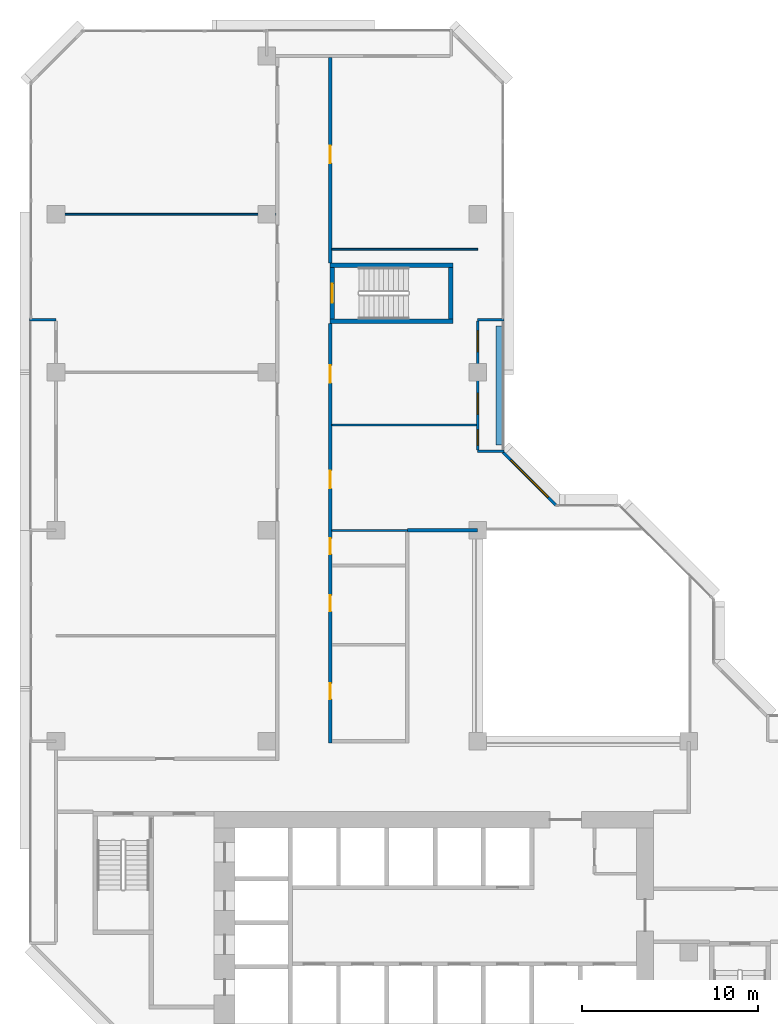
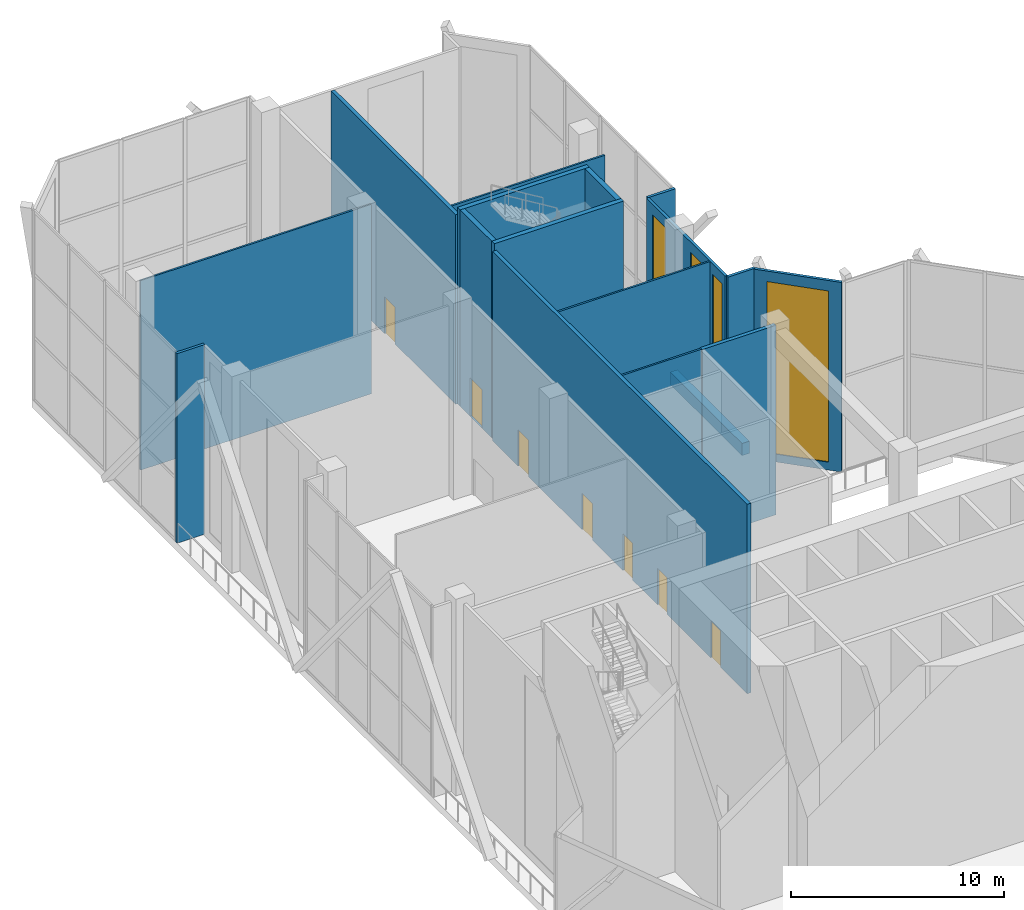
# One storey, part 15 of 21: 17 walls, 7 doors, 4 windows, 11 openings.
"""IFC4 building model written with IfcOpenShell, lengths in metres."""

from ifc_helpers import new_model, si_unit, direction, frame, frame_2d, origin, place, context, subcontext, project, spatial, rectangle, extrude, material, layer, layer_set, type_object, element, fill, save


model = new_model("IFC4")

# Units and contexts
model_context = context("Model", 3, precision=1e-05, world=origin(), true_north=direction((0.0, 1.0)))
body_context = subcontext(model_context, "Body", "Model", "MODEL_VIEW")
ifc_project = project(units=[si_unit("LENGTHUNIT", "METRE"), si_unit("AREAUNIT", "SQUARE_METRE"), si_unit("VOLUMEUNIT", "CUBIC_METRE"), si_unit("PLANEANGLEUNIT", "RADIAN"), si_unit("MASSUNIT", "GRAM", prefix="KILO")], contexts=[model_context])

# Site, building, storey
site_placement = place(None, origin())
site = spatial("IfcSite", under=ifc_project, at=site_placement, CompositionType="ELEMENT")
building_placement = place(site_placement, origin())
building = spatial("IfcBuilding", under=site, at=building_placement, Name="Chenar Terraces", CompositionType="ELEMENT")
storey_placement = place(building_placement, frame((0.0, 0.0, 146.14990234375)))
storey = spatial("IfcBuildingStorey", under=building, at=storey_placement, Name="L34", CompositionType="ELEMENT", Elevation=146.14990234375)

# Walls
ifc_material_1 = material(Name="Concrete C70/85", Category="concrete")
ifc_layer_1 = layer(ifc_material_1, 0.25)
ifc_layer_set_1 = layer_set([ifc_layer_1], Name="Concrete C70/85")
wall_type_1 = type_object("IfcWallType", Name="Core wall 250 Concrete C70/85", PredefinedType="SHEAR", material=ifc_layer_set_1)
for number, where, z_axis, x_axis, name in (
    (1, (15.60009765625, 47.89990234375, 0.0), (0.0, 0.0, 1.0), (1.0, 0.0, 0.0), "Core wall ST4_S L34"),
    (2, (15.60009765625, 51.10009765625, 0.0), (0.0, 0.0, 1.0), (1.0, 0.0, 0.0), "Core wall ST4_N L34"),
):
    element("IfcWall", number, at=place(storey_placement, frame(where, z_axis=z_axis, x_axis=x_axis)), inside=storey, type_object=wall_type_1, Name=name, PredefinedType="SHEAR", context=body_context, shape_type="SweptSolid", body=[
        extrude(rectangle(XDim=7.0, YDim=0.25, at=frame_2d((3.5, 0.0))), origin(), (0.0, 0.0, 1.0), 11.25),
    ])

# Wall, opening, door
wall_1_placement = place(storey_placement, frame((15.72509765625, 48.02490234375, 0.0), z_axis=(0.0, 0.0, 1.0), x_axis=(0.0, 1.0, 0.0)))
wall_1 = element("IfcWall", 3, at=wall_1_placement, inside=storey, type_object=wall_type_1, Name="Core wall ST4_W L34", PredefinedType="SHEAR", context=body_context, shape_type="SweptSolid", body=[
    extrude(rectangle(XDim=2.9501953125, YDim=0.25, at=frame_2d((1.47509765625, 0.0))), origin(), (0.0, 0.0, 1.0), 11.25),
])
opening_1_placement = place(wall_1_placement, frame((0.925048828125, 0.0, 0.0)))
opening_1 = element("IfcOpeningElement", 4, at=opening_1_placement, cuts=wall_1, Name="Opening DL34-C9", PredefinedType="OPENING", context=body_context, shape_type="SweptSolid", body=[
    extrude(rectangle(XDim=1.10009765625, YDim=2.199951171875, at=frame_2d((0.550048828125, 1.10009765625))), frame((0.0, 0.135009765625, 0.0), z_axis=(0.0, -1.0, 0.0), x_axis=(1.0, 0.0, 0.0)), (0.0, 0.0, 1.0), 0.27001953125),
])
ifc_material_2 = material(Name="Steel-framed fire-resisting door leaf", Category="steel")
door_type_1 = type_object("IfcDoorType", Name="Stair fire door FD60 1100 x 2200", OperationType="SINGLE_SWING_LEFT", PredefinedType="DOOR", material=ifc_material_2)
door_1_placement = place(opening_1_placement, frame((1.10009765625, 0.0, 0.0), z_axis=(0.0, 0.0, 1.0), x_axis=(-1.0, 0.0, 0.0)))
door_1 = element("IfcDoor", 5, at=door_1_placement, inside=storey, type_object=door_type_1, Name="Stair door DL34-C9", OperationType="SINGLE_SWING_RIGHT", OverallHeight=2.199951171875, OverallWidth=1.10009765625, PredefinedType="DOOR", context=body_context, shape_type="SweptSolid", body=[
    extrude(rectangle(XDim=1.10009765625, YDim=2.199951171875, at=frame_2d((0.550048828125, 1.10009765625))), frame((0.0, 0.02490234375, 0.0), z_axis=(0.0, -1.0, 0.0), x_axis=(1.0, 0.0, 0.0)), (0.0, 0.0, 1.0), 0.050048828125),
])
fill(opening_1, door_1)

# Wall
wall_2_placement = place(storey_placement, frame((22.47509765625, 48.02490234375, 0.0), z_axis=(0.0, 0.0, 1.0), x_axis=(0.0, 1.0, 0.0)))
element("IfcWall", 6, at=wall_2_placement, inside=storey, type_object=wall_type_1, Name="Core wall ST4_E L34", PredefinedType="SHEAR", context=body_context, shape_type="SweptSolid", body=[
    extrude(rectangle(XDim=2.9501953125, YDim=0.25, at=frame_2d((1.47509765625, 0.0))), origin(), (0.0, 0.0, 1.0), 11.25),
])

# Wall, openings, doors
ifc_material_3 = material(Name="Gypsum board on steel studs with fire boards", Category="steel")
ifc_layer_2 = layer(ifc_material_3, 0.199951171875)
ifc_layer_set_2 = layer_set([ifc_layer_2], Name="Gypsum board on steel studs with fire boards")
wall_type_2 = type_object("IfcWallType", Name="Corridor wall 200", PredefinedType="PARTITIONING", material=ifc_layer_set_2)
wall_3_placement = place(storey_placement, frame((15.60009765625, 23.89990234375, 0.0), z_axis=(0.0, 0.0, 1.0), x_axis=(0.0, 1.0, 0.0)))
wall_3 = element("IfcWall", 7, at=wall_3_placement, inside=storey, type_object=wall_type_2, Name="Partition L34-007", PredefinedType="PARTITIONING", context=body_context, shape_type="SweptSolid", body=[
    extrude(rectangle(XDim=23.875, YDim=0.199951171875, at=frame_2d((11.9375, 0.0))), origin(), (0.0, 0.0, 1.0), 10.85009765625),
])
opening_2_placement = place(wall_3_placement, frame((14.5, 0.0, 0.0)))
opening_2 = element("IfcOpeningElement", 8, at=opening_2_placement, cuts=wall_3, Name="Opening DL34-8", PredefinedType="OPENING", context=body_context, shape_type="SweptSolid", body=[
    extrude(rectangle(XDim=1.0, YDim=2.10009765625, at=frame_2d((0.5, 1.050048828125))), frame((0.0, 0.10986328125, 0.0), z_axis=(0.0, -1.0, 0.0), x_axis=(1.0, 0.0, 0.0)), (0.0, 0.0, 1.0), 0.219970703125),
])
opening_3_placement = place(wall_3_placement, frame((20.5, 0.0, 0.0)))
opening_3 = element("IfcOpeningElement", 9, at=opening_3_placement, cuts=wall_3, Name="Opening DL34-9", PredefinedType="OPENING", context=body_context, shape_type="SweptSolid", body=[
    extrude(rectangle(XDim=1.0, YDim=2.10009765625, at=frame_2d((0.5, 1.050048828125))), frame((0.0, 0.10986328125, 0.0), z_axis=(0.0, -1.0, 0.0), x_axis=(1.0, 0.0, 0.0)), (0.0, 0.0, 1.0), 0.219970703125),
])
opening_4_placement = place(wall_3_placement, frame((10.75, 0.0, 0.0)))
opening_4 = element("IfcOpeningElement", 10, at=opening_4_placement, cuts=wall_3, Name="Opening DL34-20", PredefinedType="OPENING", context=body_context, shape_type="SweptSolid", body=[
    extrude(rectangle(XDim=0.89990234375, YDim=2.10009765625, at=frame_2d((0.449951171875, 1.050048828125))), frame((0.0, 0.10986328125, 0.0), z_axis=(0.0, -1.0, 0.0), x_axis=(1.0, 0.0, 0.0)), (0.0, 0.0, 1.0), 0.219970703125),
])
opening_5_placement = place(wall_3_placement, frame((7.5, 0.0, 0.0)))
opening_5 = element("IfcOpeningElement", 11, at=opening_5_placement, cuts=wall_3, Name="Opening DL34-21", PredefinedType="OPENING", context=body_context, shape_type="SweptSolid", body=[
    extrude(rectangle(XDim=0.89990234375, YDim=2.10009765625, at=frame_2d((0.449951171875, 1.050048828125))), frame((0.0, 0.10986328125, 0.0), z_axis=(0.0, -1.0, 0.0), x_axis=(1.0, 0.0, 0.0)), (0.0, 0.0, 1.0), 0.219970703125),
])
opening_6_placement = place(wall_3_placement, frame((2.5, 0.0, 0.0)))
opening_6 = element("IfcOpeningElement", 12, at=opening_6_placement, cuts=wall_3, Name="Opening DL34-22", PredefinedType="OPENING", context=body_context, shape_type="SweptSolid", body=[
    extrude(rectangle(XDim=0.89990234375, YDim=2.10009765625, at=frame_2d((0.449951171875, 1.050048828125))), frame((0.0, 0.10986328125, 0.0), z_axis=(0.0, -1.0, 0.0), x_axis=(1.0, 0.0, 0.0)), (0.0, 0.0, 1.0), 0.219970703125),
])
ifc_material_4 = material(Name="Steel-framed fire-resisting door leaf", Category="steel")
door_type_2 = type_object("IfcDoorType", Name="Fire door FD60 1000 x 2100", OperationType="SINGLE_SWING_LEFT", PredefinedType="DOOR", material=ifc_material_4)
door_2_placement = place(opening_2_placement, frame((1.0, 0.0, 0.0), z_axis=(0.0, 0.0, 1.0), x_axis=(-1.0, 0.0, 0.0)))
door_2 = element("IfcDoor", 13, at=door_2_placement, inside=storey, type_object=door_type_2, Name="Door DL34-8", OperationType="SINGLE_SWING_RIGHT", OverallHeight=2.10009765625, OverallWidth=1.0, PredefinedType="DOOR", context=body_context, shape_type="SweptSolid", body=[
    extrude(rectangle(XDim=1.0, YDim=2.10009765625, at=frame_2d((0.5, 1.050048828125))), frame((0.0, 0.02490234375, 0.0), z_axis=(0.0, -1.0, 0.0), x_axis=(1.0, 0.0, 0.0)), (0.0, 0.0, 1.0), 0.050048828125),
])
fill(opening_2, door_2)
door_3_placement = place(opening_3_placement, frame((1.0, 0.0, 0.0), z_axis=(0.0, 0.0, 1.0), x_axis=(-1.0, 0.0, 0.0)))
door_3 = element("IfcDoor", 14, at=door_3_placement, inside=storey, type_object=door_type_2, Name="Door DL34-9", OperationType="SINGLE_SWING_RIGHT", OverallHeight=2.10009765625, OverallWidth=1.0, PredefinedType="DOOR", context=body_context, shape_type="SweptSolid", body=[
    extrude(rectangle(XDim=1.0, YDim=2.10009765625, at=frame_2d((0.5, 1.050048828125))), frame((0.0, 0.02490234375, 0.0), z_axis=(0.0, -1.0, 0.0), x_axis=(1.0, 0.0, 0.0)), (0.0, 0.0, 1.0), 0.050048828125),
])
fill(opening_3, door_3)
ifc_material_5 = material(Name="Steel-framed fire-resisting door leaf", Category="steel")
door_type_3 = type_object("IfcDoorType", Name="Fire door FD60 900 x 2100", OperationType="SINGLE_SWING_LEFT", PredefinedType="DOOR", material=ifc_material_5)
door_4_placement = place(opening_4_placement, frame((0.89990234375, 0.0, 0.0), z_axis=(0.0, 0.0, 1.0), x_axis=(-1.0, 0.0, 0.0)))
door_4 = element("IfcDoor", 15, at=door_4_placement, inside=storey, type_object=door_type_3, Name="Door DL34-20", OperationType="SINGLE_SWING_LEFT", OverallHeight=2.10009765625, OverallWidth=0.89990234375, PredefinedType="DOOR", context=body_context, shape_type="SweptSolid", body=[
    extrude(rectangle(XDim=0.89990234375, YDim=2.10009765625, at=frame_2d((0.449951171875, 1.050048828125))), frame((0.0, 0.02490234375, 0.0), z_axis=(0.0, -1.0, 0.0), x_axis=(1.0, 0.0, 0.0)), (0.0, 0.0, 1.0), 0.050048828125),
])
fill(opening_4, door_4)
door_5_placement = place(opening_5_placement, frame((0.89990234375, 0.0, 0.0), z_axis=(0.0, 0.0, 1.0), x_axis=(-1.0, 0.0, 0.0)))
door_5 = element("IfcDoor", 16, at=door_5_placement, inside=storey, type_object=door_type_3, Name="Door DL34-21", OperationType="SINGLE_SWING_RIGHT", OverallHeight=2.10009765625, OverallWidth=0.89990234375, PredefinedType="DOOR", context=body_context, shape_type="SweptSolid", body=[
    extrude(rectangle(XDim=0.89990234375, YDim=2.10009765625, at=frame_2d((0.449951171875, 1.050048828125))), frame((0.0, 0.02490234375, 0.0), z_axis=(0.0, -1.0, 0.0), x_axis=(1.0, 0.0, 0.0)), (0.0, 0.0, 1.0), 0.050048828125),
])
fill(opening_5, door_5)
door_6_placement = place(opening_6_placement, frame((0.89990234375, 0.0, 0.0), z_axis=(0.0, 0.0, 1.0), x_axis=(-1.0, 0.0, 0.0)))
door_6 = element("IfcDoor", 17, at=door_6_placement, inside=storey, type_object=door_type_3, Name="Door DL34-22", OperationType="SINGLE_SWING_RIGHT", OverallHeight=2.10009765625, OverallWidth=0.89990234375, PredefinedType="DOOR", context=body_context, shape_type="SweptSolid", body=[
    extrude(rectangle(XDim=0.89990234375, YDim=2.10009765625, at=frame_2d((0.449951171875, 1.050048828125))), frame((0.0, 0.02490234375, 0.0), z_axis=(0.0, -1.0, 0.0), x_axis=(1.0, 0.0, 0.0)), (0.0, 0.0, 1.0), 0.050048828125),
])
fill(opening_6, door_6)

# Wall, opening, door
wall_4_placement = place(storey_placement, frame((15.60009765625, 51.22509765625, 0.0), z_axis=(0.0, 0.0, 1.0), x_axis=(0.0, 1.0, 0.0)))
wall_4 = element("IfcWall", 18, at=wall_4_placement, inside=storey, type_object=wall_type_2, Name="Partition L34-008", PredefinedType="PARTITIONING", context=body_context, shape_type="SweptSolid", body=[
    extrude(rectangle(XDim=11.700927734375, YDim=0.199951171875, at=frame_2d((5.8505859375, 0.0))), origin(), (0.0, 0.0, 1.0), 10.85009765625),
])
opening_7_placement = place(wall_4_placement, frame((5.675048828125, 0.0, 0.0)))
opening_7 = element("IfcOpeningElement", 19, at=opening_7_placement, cuts=wall_4, Name="Opening DL34-10", PredefinedType="OPENING", context=body_context, shape_type="SweptSolid", body=[
    extrude(rectangle(XDim=1.0, YDim=2.10009765625, at=frame_2d((0.5, 1.050048828125))), frame((0.0, 0.10986328125, 0.0), z_axis=(0.0, -1.0, 0.0), x_axis=(1.0, 0.0, 0.0)), (0.0, 0.0, 1.0), 0.219970703125),
])
door_7_placement = place(opening_7_placement, frame((1.0, 0.0, 0.0), z_axis=(0.0, 0.0, 1.0), x_axis=(-1.0, 0.0, 0.0)))
door_7 = element("IfcDoor", 20, at=door_7_placement, inside=storey, type_object=door_type_2, Name="Door DL34-10", OperationType="SINGLE_SWING_RIGHT", OverallHeight=2.10009765625, OverallWidth=1.0, PredefinedType="DOOR", context=body_context, shape_type="SweptSolid", body=[
    extrude(rectangle(XDim=1.0, YDim=2.10009765625, at=frame_2d((0.5, 1.050048828125))), frame((0.0, 0.02490234375, 0.0), z_axis=(0.0, -1.0, 0.0), x_axis=(1.0, 0.0, 0.0)), (0.0, 0.0, 1.0), 0.050048828125),
])
fill(opening_7, door_7)

# Wall
wall_5_placement = place(storey_placement, frame((20.0, 36.0, 0.0), z_axis=(0.0, 0.0, 1.0), x_axis=(1.0, 0.0, 0.0)))
element("IfcWall", 21, at=wall_5_placement, inside=storey, type_object=wall_type_2, Name="Partition L34-016", PredefinedType="PARTITIONING", context=body_context, shape_type="SweptSolid", body=[
    extrude(rectangle(XDim=4.0, YDim=0.199951171875, at=frame_2d((2.0, 0.0))), origin(), (0.0, 0.0, 1.0), 10.85009765625),
])

# Wall, openings, windows
ifc_material_6 = material(Name="Aluminium framed glazing", Category="aluminium")
ifc_layer_3 = layer(ifc_material_6, 0.14990234375)
ifc_layer_set_3 = layer_set([ifc_layer_3], Name="Aluminium framed glazing")
wall_type_3 = type_object("IfcWallType", Name="Glazed loggia back wall 150", PredefinedType="SOLIDWALL", material=ifc_layer_set_3)
wall_6_placement = place(storey_placement, frame((24.0, 40.574951171875, 0.0), z_axis=(0.0, 0.0, 1.0), x_axis=(0.0, 1.0, 0.0)))
wall_6 = element("IfcWall", 22, at=wall_6_placement, inside=storey, type_object=wall_type_3, Name="Glazed loggia back wall", PredefinedType="SOLIDWALL", context=body_context, shape_type="SweptSolid", body=[
    extrude(rectangle(XDim=7.35009765625, YDim=0.14990234375, at=frame_2d((3.675048828125, 0.0))), origin(), (0.0, 0.0, 1.0), 10.85009765625),
])
opening_8_placement = place(wall_6_placement, frame((0.262451171875, 0.0, 0.449951171875)))
opening_8 = element("IfcOpeningElement", 23, at=opening_8_placement, cuts=wall_6, Name="Opening W90x980", PredefinedType="OPENING", context=body_context, shape_type="SweptSolid", body=[
    extrude(rectangle(XDim=0.89990234375, YDim=9.800048828125, at=frame_2d((0.449951171875, 4.89990234375))), frame((0.0, 0.0849609375, 0.0), z_axis=(0.0, -1.0, 0.0), x_axis=(1.0, 0.0, 0.0)), (0.0, 0.0, 1.0), 0.169921875),
])
opening_9_placement = place(wall_6_placement, frame((2.02490234375, 0.0, 0.449951171875)))
opening_9 = element("IfcOpeningElement", 24, at=opening_9_placement, cuts=wall_6, Name="Opening W120x980", PredefinedType="OPENING", context=body_context, shape_type="SweptSolid", body=[
    extrude(rectangle(XDim=1.199951171875, YDim=9.800048828125, at=frame_2d((0.60009765625, 4.89990234375))), frame((0.0, 0.0849609375, 0.0), z_axis=(0.0, -1.0, 0.0), x_axis=(1.0, 0.0, 0.0)), (0.0, 0.0, 1.0), 0.169921875),
])
opening_10_placement = place(wall_6_placement, frame((5.58740234375, 0.0, 0.449951171875)))
opening_10 = element("IfcOpeningElement", 25, at=opening_10_placement, cuts=wall_6, Name="Opening W120x980", PredefinedType="OPENING", context=body_context, shape_type="SweptSolid", body=[
    extrude(rectangle(XDim=1.199951171875, YDim=9.800048828125, at=frame_2d((0.60009765625, 4.89990234375))), frame((0.0, 0.0849609375, 0.0), z_axis=(0.0, -1.0, 0.0), x_axis=(1.0, 0.0, 0.0)), (0.0, 0.0, 1.0), 0.169921875),
])
ifc_material_7 = material(Name="Low emissivity double glazing, aluminium frame", Category="aluminium")
window_type_1 = type_object("IfcWindowType", Name="Fixed light 1200 x 9800", PartitioningType="SINGLE_PANEL", PredefinedType="WINDOW", material=ifc_material_7)
window_1_placement = place(opening_9_placement, origin())
window_1 = element("IfcWindow", 26, at=window_1_placement, inside=storey, type_object=window_type_1, Name="Window", OverallHeight=9.800048828125, OverallWidth=1.199951171875, PartitioningType="SINGLE_PANEL", PredefinedType="WINDOW", context=body_context, shape_type="SweptSolid", body=[
    extrude(rectangle(XDim=1.199951171875, YDim=9.800048828125, at=frame_2d((0.60009765625, 4.89990234375))), frame((0.0, 0.030029296875, 0.0), z_axis=(0.0, -1.0, 0.0), x_axis=(1.0, 0.0, 0.0)), (0.0, 0.0, 1.0), 0.06005859375),
])
fill(opening_9, window_1)
window_2_placement = place(opening_10_placement, origin())
window_2 = element("IfcWindow", 27, at=window_2_placement, inside=storey, type_object=window_type_1, Name="Window", OverallHeight=9.800048828125, OverallWidth=1.199951171875, PartitioningType="SINGLE_PANEL", PredefinedType="WINDOW", context=body_context, shape_type="SweptSolid", body=[
    extrude(rectangle(XDim=1.199951171875, YDim=9.800048828125, at=frame_2d((0.60009765625, 4.89990234375))), frame((0.0, 0.030029296875, 0.0), z_axis=(0.0, -1.0, 0.0), x_axis=(1.0, 0.0, 0.0)), (0.0, 0.0, 1.0), 0.06005859375),
])
fill(opening_10, window_2)
ifc_material_8 = material(Name="Low emissivity double glazing, aluminium frame", Category="aluminium")
window_type_2 = type_object("IfcWindowType", Name="Fixed light 900 x 9800", PartitioningType="SINGLE_PANEL", PredefinedType="WINDOW", material=ifc_material_8)
window_3_placement = place(opening_8_placement, origin())
window_3 = element("IfcWindow", 28, at=window_3_placement, inside=storey, type_object=window_type_2, Name="Window", OverallHeight=9.800048828125, OverallWidth=0.89990234375, PartitioningType="SINGLE_PANEL", PredefinedType="WINDOW", context=body_context, shape_type="SweptSolid", body=[
    extrude(rectangle(XDim=0.89990234375, YDim=9.800048828125, at=frame_2d((0.449951171875, 4.89990234375))), frame((0.0, 0.030029296875, 0.0), z_axis=(0.0, -1.0, 0.0), x_axis=(1.0, 0.0, 0.0)), (0.0, 0.0, 1.0), 0.06005859375),
])
fill(opening_8, window_3)

# Walls
ifc_material_9 = material(Name="Gypsum board on steel studs", Category="steel")
ifc_layer_4 = layer(ifc_material_9, 0.10009765625)
ifc_layer_set_4 = layer_set([ifc_layer_4], Name="Gypsum board on steel studs")
wall_type_4 = type_object("IfcWallType", Name="Gypsum partition 100", PredefinedType="PARTITIONING", material=ifc_layer_set_4)
wall_7_placement = place(storey_placement, frame((0.0, 54.0, 0.0), z_axis=(0.0, 0.0, 1.0), x_axis=(1.0, 0.0, 0.0)))
element("IfcWall", 29, at=wall_7_placement, inside=storey, type_object=wall_type_4, Name="Partition L34-002", PredefinedType="PARTITIONING", context=body_context, shape_type="SweptSolid", body=[
    extrude(rectangle(XDim=12.5, YDim=0.10009765625, at=frame_2d((6.25, 0.0))), origin(), (0.0, 0.0, 1.0), 10.85009765625),
])
wall_8_placement = place(storey_placement, frame((15.699951171875, 36.0, 0.0), z_axis=(0.0, 0.0, 1.0), x_axis=(1.0, 0.0, 0.0)))
element("IfcWall", 30, at=wall_8_placement, inside=storey, type_object=wall_type_4, Name="Partition L34-012", PredefinedType="PARTITIONING", context=body_context, shape_type="SweptSolid", body=[
    extrude(rectangle(XDim=4.300048828125, YDim=0.10009765625, at=frame_2d((2.14990234375, 0.0))), origin(), (0.0, 0.0, 1.0), 10.85009765625),
])
wall_9_placement = place(storey_placement, frame((15.699951171875, 42.0, 0.0), z_axis=(0.0, 0.0, 1.0), x_axis=(1.0, 0.0, 0.0)))
element("IfcWall", 31, at=wall_9_placement, inside=storey, type_object=wall_type_4, Name="Partition L34-013", PredefinedType="PARTITIONING", context=body_context, shape_type="SweptSolid", body=[
    extrude(rectangle(XDim=8.22607421875, YDim=0.10009765625, at=frame_2d((4.113037109375, 0.0))), origin(), (0.0, 0.0, 1.0), 10.85009765625),
])
wall_10_placement = place(storey_placement, frame((15.699951171875, 52.0, 0.0), z_axis=(0.0, 0.0, 1.0), x_axis=(1.0, 0.0, 0.0)))
element("IfcWall", 32, at=wall_10_placement, inside=storey, type_object=wall_type_4, Name="Partition L34-014", PredefinedType="PARTITIONING", context=body_context, shape_type="SweptSolid", body=[
    extrude(rectangle(XDim=8.300048828125, YDim=0.10009765625, at=frame_2d((4.14990234375, 0.0))), origin(), (0.0, 0.0, 1.0), 10.85009765625),
])
ifc_material_10 = material(Name="Terracotta cladding on insulated backing", Category="masonry")
ifc_layer_5 = layer(ifc_material_10, 0.14990234375)
ifc_layer_set_5 = layer_set([ifc_layer_5], Name="Terracotta cladding on insulated backing")
wall_type_5 = type_object("IfcWallType", Name="Loggia return wall 150", PredefinedType="SOLIDWALL", material=ifc_layer_set_5)
for number, where, z_axis, x_axis, name in (
    (33, (25.5, 40.5, 0.0), (0.0, 0.0, 1.0), (-1.0, 0.0, 0.0), "Loggia return wall"),
    (34, (25.5, 48.0, 0.0), (0.0, 0.0, 1.0), (-1.0, 0.0, 0.0), "Loggia return wall"),
    (35, (-1.5, 48.0, 0.0), (0.0, 0.0, 1.0), (1.0, 0.0, 0.0), "Loggia return wall"),
):
    element("IfcWall", number, at=place(storey_placement, frame(where, z_axis=z_axis, x_axis=x_axis)), inside=storey, type_object=wall_type_5, Name=name, PredefinedType="SOLIDWALL", context=body_context, shape_type="SweptSolid", body=[
        extrude(rectangle(XDim=1.5, YDim=0.14990234375, at=frame_2d((0.75, 0.0))), origin(), (0.0, 0.0, 1.0), 10.85009765625),
    ])

# Wall, opening, window
ifc_material_11 = material(Name="Terracotta cladding on insulated backing", Category="masonry")
ifc_layer_6 = layer(ifc_material_11, 0.14990234375)
ifc_layer_set_6 = layer_set([ifc_layer_6], Name="Terracotta cladding on insulated backing")
wall_type_6 = type_object("IfcWallType", Name="Terracotta rainscreen wall 150", PredefinedType="SOLIDWALL", material=ifc_layer_set_6)
wall_11_placement = place(storey_placement, frame((28.447021484375, 37.447021484375, 0.0), z_axis=(0.0, 0.0, 1.0), x_axis=(-0.707106781187, 0.707106781187, 0.0)))
wall_11 = element("IfcWall", 36, at=wall_11_placement, inside=storey, type_object=wall_type_6, Name="Terracotta rainscreen wall", PredefinedType="SOLIDWALL", context=body_context, shape_type="SweptSolid", body=[
    extrude(rectangle(XDim=4.24267578125, YDim=0.14990234375, at=frame_2d((2.121337890625, 0.0))), origin(), (0.0, 0.0, 1.0), 10.85009765625),
])
opening_11_placement = place(wall_11_placement, frame((0.621337890625, 0.0, 0.449951171875)))
opening_11 = element("IfcOpeningElement", 37, at=opening_11_placement, cuts=wall_11, Name="Opening W300x980", PredefinedType="OPENING", context=body_context, shape_type="SweptSolid", body=[
    extrude(rectangle(XDim=3.0, YDim=9.800048828125, at=frame_2d((1.5, 4.89990234375))), frame((0.0, 0.0849609375, 0.0), z_axis=(0.0, -1.0, 0.0), x_axis=(1.0, 0.0, 0.0)), (0.0, 0.0, 1.0), 0.169921875),
])
ifc_material_12 = material(Name="Low emissivity double glazing, aluminium frame", Category="aluminium")
window_type_3 = type_object("IfcWindowType", Name="Fixed light 3000 x 9800", PartitioningType="SINGLE_PANEL", PredefinedType="WINDOW", material=ifc_material_12)
window_4_placement = place(opening_11_placement, origin())
window_4 = element("IfcWindow", 38, at=window_4_placement, inside=storey, type_object=window_type_3, Name="Window", OverallHeight=9.800048828125, OverallWidth=3.0, PartitioningType="SINGLE_PANEL", PredefinedType="WINDOW", context=body_context, shape_type="SweptSolid", body=[
    extrude(rectangle(XDim=3.0, YDim=9.800048828125, at=frame_2d((1.5, 4.89990234375))), frame((0.0, 0.030029296875, 0.0), z_axis=(0.0, -1.0, 0.0), x_axis=(1.0, 0.0, 0.0)), (0.0, 0.0, 1.0), 0.06005859375),
])
fill(opening_11, window_4)

# Wall
ifc_material_13 = material(Name="GRP planter trough")
ifc_layer_7 = layer(ifc_material_13, 0.39990234375)
ifc_layer_set_7 = layer_set([ifc_layer_7], Name="GRP planter trough")
wall_type_7 = type_object("IfcWallType", Name="Vertical greenery planter 400", PredefinedType="SOLIDWALL", material=ifc_layer_set_7)
wall_12_placement = place(storey_placement, frame((25.22900390625, 40.875, 0.0), z_axis=(0.0, 0.0, 1.0), x_axis=(0.0, 1.0, 0.0)))
element("IfcWall", 39, at=wall_12_placement, inside=storey, type_object=wall_type_7, Name="Vertical greenery planter", PredefinedType="SOLIDWALL", context=body_context, shape_type="SweptSolid", body=[
    extrude(rectangle(XDim=6.75, YDim=0.39990234375, at=frame_2d((3.375, 0.0))), origin(), (0.0, 0.0, 1.0), 0.7001953125),
])

save(model, "model.ifc")
